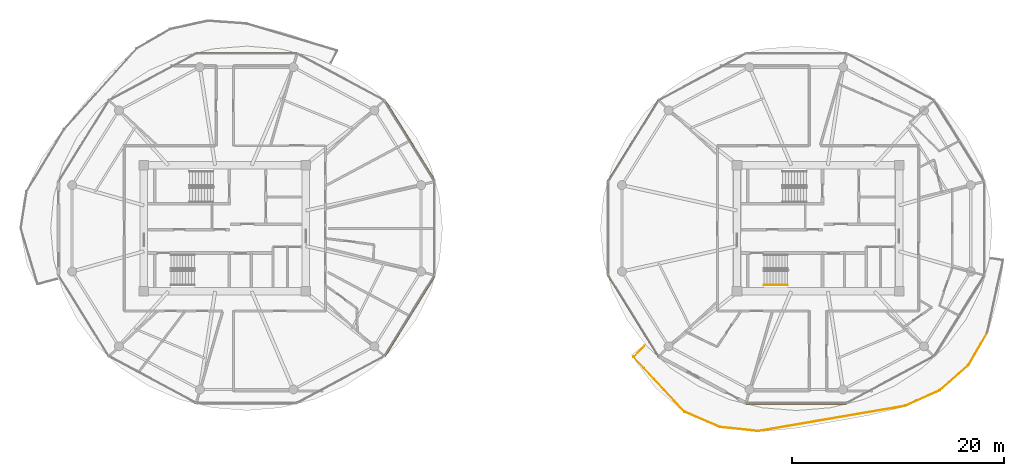
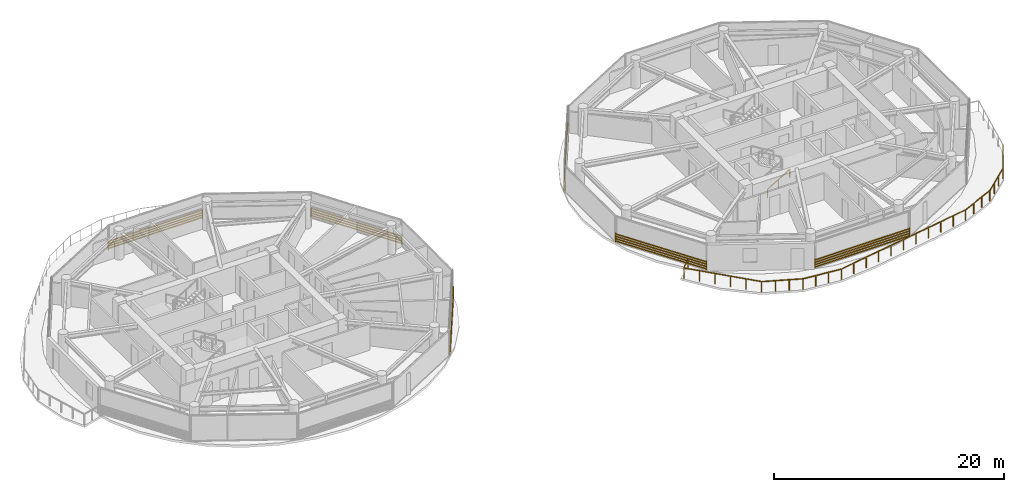
# One storey, part 21 of 22: 6 shading devices, 2 railings.
"""IFC4 building model written with IfcOpenShell, lengths in metres."""

from ifc_helpers import new_model, si_unit, direction, frame, origin, origin_2d, place, context, subcontext, project, spatial, rectangle, extrude, source, transform, mapped, material, type_object, type_shapes, element, save


model = new_model("IFC4")

# Units and contexts
model_context = context("Model", 3, precision=1e-05, world=origin(), true_north=direction((0.0, 1.0)))
body_context = subcontext(model_context, "Body", "Model", "MODEL_VIEW")
ifc_project = project(units=[si_unit("LENGTHUNIT", "METRE"), si_unit("AREAUNIT", "SQUARE_METRE"), si_unit("VOLUMEUNIT", "CUBIC_METRE"), si_unit("PLANEANGLEUNIT", "RADIAN"), si_unit("MASSUNIT", "GRAM", prefix="KILO")], contexts=[model_context])

# Site, building, storey
site_placement = place(None, origin())
site = spatial("IfcSite", under=ifc_project, at=site_placement, CompositionType="ELEMENT")
building_placement = place(site_placement, origin())
building = spatial("IfcBuilding", under=site, at=building_placement, Name="Norrkilde Senior Care Towers", CompositionType="ELEMENT")
storey_placement = place(building_placement, frame((0.0, 0.0, 87.10009765625)))
storey = spatial("IfcBuildingStorey", under=building, at=storey_placement, Name="L26", CompositionType="ELEMENT", Elevation=87.10009765625)

# Railings
ifc_material_1 = material(Name="Anodised Aluminium", Category="aluminium")
railing_type_1 = type_object("IfcRailingType", Name="Balcony Swirl Ribbon Guardrail 1150", PredefinedType="GUARDRAIL", material=ifc_material_1)
railing_1_placement = place(storey_placement, frame((43.97021484375, -9.85595703125, 0.0)))
element("IfcRailing", 1, at=railing_1_placement, inside=storey, type_object=railing_type_1, Name="L26 Perimeter Safety Guard 01", PredefinedType="GUARDRAIL", context=body_context, shape_type="SweptSolid", body=[
    extrude(rectangle(XDim=0.048095703125, YDim=0.048095703125, at=origin_2d()), frame((0.0, 0.0, 1.1259765625), z_axis=(-0.501543117196, -0.865132649709, 0.0), x_axis=(0.865132649709, -0.501543117196, 0.0)), (0.0, 0.0, 1.0), 3.50927734375),
    extrude(rectangle(XDim=0.048095703125, YDim=0.048095703125, at=origin_2d()), frame((-1.811279296875, -3.098388671875, 1.1259765625), z_axis=(-0.751286821109, -0.659975842307, 0.0), x_axis=(0.659975842307, -0.751286821109, 0.0)), (0.0, 0.0, 1.0), 3.498291015625),
    extrude(rectangle(XDim=0.048095703125, YDim=0.048095703125, at=origin_2d()), frame((-4.507568359375, -5.450927734375, 1.1259765625), z_axis=(-0.912333686394, -0.409447487073, 0.0), x_axis=(0.409447487073, -0.912333686394, 0.0)), (0.0, 0.0, 1.0), 3.51611328125),
    extrude(rectangle(XDim=0.048095703125, YDim=0.048095703125, at=origin_2d()), frame((-7.79296875, -6.9140625, 1.1259765625), z_axis=(-0.985595383314, -0.169120490745, 0.0), x_axis=(0.169120490745, -0.985595383314, 0.0)), (0.0, 0.0, 1.0), 13.974365234375),
    extrude(rectangle(XDim=0.048095703125, YDim=0.048095703125, at=origin_2d()), frame((-21.647216796875, -9.280029296875, 1.1259765625), z_axis=(-0.994456166464, 0.105151951869, 0.0), x_axis=(-0.105151951869, -0.994456166464, 0.0)), (0.0, 0.0, 1.0), 3.5634765625),
    extrude(rectangle(XDim=0.048095703125, YDim=0.048095703125, at=origin_2d()), frame((-25.26904296875, -8.885009765625, 1.1259765625), z_axis=(-0.91872017993, 0.394909142701, 0.0), x_axis=(-0.394909142701, -0.91872017993, 0.0)), (0.0, 0.0, 1.0), 3.549072265625),
    extrude(rectangle(XDim=0.048095703125, YDim=0.048095703125, at=origin_2d()), frame((-28.594970703125, -7.437255859375, 1.1259765625), z_axis=(-0.680878765512, 0.732396140538, 0.0), x_axis=(-0.732396140538, -0.680878765512, 0.0)), (0.0, 0.0, 1.0), 6.98876953125),
    extrude(rectangle(XDim=0.048095703125, YDim=0.048095703125, at=origin_2d()), frame((-33.352783203125, -2.259521484375, 1.1259765625), z_axis=(0.696362574465, 0.71769015939, 0.0), x_axis=(-0.71769015939, 0.696362574465, 0.0)), (0.0, 0.0, 1.0), 1.4013671875),
    extrude(rectangle(XDim=0.0419921875, YDim=0.0419921875, at=origin_2d()), origin(), (0.0, 0.0, 1.0), 1.099853515625),
    extrude(rectangle(XDim=0.0419921875, YDim=0.0419921875, at=origin_2d()), frame((-0.593505859375, -1.023681640625, 0.0)), (0.0, 0.0, 1.0), 1.099853515625),
    extrude(rectangle(XDim=0.0419921875, YDim=0.0419921875, at=origin_2d()), frame((-1.18701171875, -2.047607421875, 0.0)), (0.0, 0.0, 1.0), 1.099853515625),
    extrude(rectangle(XDim=0.0419921875, YDim=0.0419921875, at=origin_2d()), frame((-1.780517578125, -3.0712890625, 0.0)), (0.0, 0.0, 1.0), 1.099853515625),
    extrude(rectangle(XDim=0.0419921875, YDim=0.0419921875, at=origin_2d()), frame((-2.677001953125, -3.85888671875, 0.0)), (0.0, 0.0, 1.0), 1.099853515625),
    extrude(rectangle(XDim=0.0419921875, YDim=0.0419921875, at=origin_2d()), frame((-3.57373046875, -4.646484375, 0.0)), (0.0, 0.0, 1.0), 1.099853515625),
    extrude(rectangle(XDim=0.0419921875, YDim=0.0419921875, at=origin_2d()), frame((-4.47021484375, -5.43408203125, 0.0)), (0.0, 0.0, 1.0), 1.099853515625),
    extrude(rectangle(XDim=0.0419921875, YDim=0.0419921875, at=origin_2d()), frame((-5.564453125, -5.925048828125, 0.0)), (0.0, 0.0, 1.0), 1.099853515625),
    extrude(rectangle(XDim=0.0419921875, YDim=0.0419921875, at=origin_2d()), frame((-6.658447265625, -6.416259765625, 0.0)), (0.0, 0.0, 1.0), 1.099853515625),
    extrude(rectangle(XDim=0.0419921875, YDim=0.0419921875, at=origin_2d()), frame((-7.752685546875, -6.9072265625, 0.0)), (0.0, 0.0, 1.0), 1.099853515625),
    extrude(rectangle(XDim=0.0419921875, YDim=0.0419921875, at=origin_2d()), frame((-9.13818359375, -7.14501953125, 0.0)), (0.0, 0.0, 1.0), 1.099853515625),
    extrude(rectangle(XDim=0.0419921875, YDim=0.0419921875, at=origin_2d()), frame((-10.5234375, -7.382568359375, 0.0)), (0.0, 0.0, 1.0), 1.099853515625),
    extrude(rectangle(XDim=0.0419921875, YDim=0.0419921875, at=origin_2d()), frame((-11.90869140625, -7.620361328125, 0.0)), (0.0, 0.0, 1.0), 1.099853515625),
    extrude(rectangle(XDim=0.0419921875, YDim=0.0419921875, at=origin_2d()), frame((-13.294189453125, -7.858154296875, 0.0)), (0.0, 0.0, 1.0), 1.099853515625),
    extrude(rectangle(XDim=0.0419921875, YDim=0.0419921875, at=origin_2d()), frame((-14.6796875, -8.095703125, 0.0)), (0.0, 0.0, 1.0), 1.099853515625),
    extrude(rectangle(XDim=0.0419921875, YDim=0.0419921875, at=origin_2d()), frame((-16.06494140625, -8.33349609375, 0.0)), (0.0, 0.0, 1.0), 1.099853515625),
    extrude(rectangle(XDim=0.0419921875, YDim=0.0419921875, at=origin_2d()), frame((-17.4501953125, -8.5712890625, 0.0)), (0.0, 0.0, 1.0), 1.099853515625),
    extrude(rectangle(XDim=0.0419921875, YDim=0.0419921875, at=origin_2d()), frame((-18.835693359375, -8.80908203125, 0.0)), (0.0, 0.0, 1.0), 1.099853515625),
    extrude(rectangle(XDim=0.0419921875, YDim=0.0419921875, at=origin_2d()), frame((-20.22119140625, -9.046630859375, 0.0)), (0.0, 0.0, 1.0), 1.099853515625),
    extrude(rectangle(XDim=0.0419921875, YDim=0.0419921875, at=origin_2d()), frame((-21.6064453125, -9.284423828125, 0.0)), (0.0, 0.0, 1.0), 1.099853515625),
    extrude(rectangle(XDim=0.0419921875, YDim=0.0419921875, at=origin_2d()), frame((-22.814697265625, -9.15673828125, 0.0)), (0.0, 0.0, 1.0), 1.099853515625),
    extrude(rectangle(XDim=0.0419921875, YDim=0.0419921875, at=origin_2d()), frame((-24.023193359375, -9.02880859375, 0.0)), (0.0, 0.0, 1.0), 1.099853515625),
    extrude(rectangle(XDim=0.0419921875, YDim=0.0419921875, at=origin_2d()), frame((-25.2314453125, -8.901123046875, 0.0)), (0.0, 0.0, 1.0), 1.099853515625),
    extrude(rectangle(XDim=0.0419921875, YDim=0.0419921875, at=origin_2d()), frame((-26.34326171875, -8.423095703125, 0.0)), (0.0, 0.0, 1.0), 1.099853515625),
    extrude(rectangle(XDim=0.0419921875, YDim=0.0419921875, at=origin_2d()), frame((-27.455322265625, -7.9453125, 0.0)), (0.0, 0.0, 1.0), 1.099853515625),
    extrude(rectangle(XDim=0.0419921875, YDim=0.0419921875, at=origin_2d()), frame((-28.567138671875, -7.46728515625, 0.0)), (0.0, 0.0, 1.0), 1.099853515625),
    extrude(rectangle(XDim=0.0419921875, YDim=0.0419921875, at=origin_2d()), frame((-29.530029296875, -6.431640625, 0.0)), (0.0, 0.0, 1.0), 1.099853515625),
    extrude(rectangle(XDim=0.0419921875, YDim=0.0419921875, at=origin_2d()), frame((-30.492919921875, -5.39599609375, 0.0)), (0.0, 0.0, 1.0), 1.099853515625),
    extrude(rectangle(XDim=0.0419921875, YDim=0.0419921875, at=origin_2d()), frame((-31.45556640625, -4.360107421875, 0.0)), (0.0, 0.0, 1.0), 1.099853515625),
    extrude(rectangle(XDim=0.0419921875, YDim=0.0419921875, at=origin_2d()), frame((-32.41845703125, -3.324462890625, 0.0)), (0.0, 0.0, 1.0), 1.099853515625),
    extrude(rectangle(XDim=0.0419921875, YDim=0.0419921875, at=origin_2d()), frame((-33.38134765625, -2.288818359375, 0.0)), (0.0, 0.0, 1.0), 1.099853515625),
    extrude(rectangle(XDim=0.0419921875, YDim=0.0419921875, at=origin_2d()), frame((-32.376953125, -1.253662109375, 0.0)), (0.0, 0.0, 1.0), 1.099853515625),
])
ifc_material_2 = material(Name="Nordic Ash Timber", Category="wood")
railing_type_2 = type_object("IfcRailingType", Name="Wall and Stair Handrail 900", PredefinedType="HANDRAIL", material=ifc_material_2)
railing_2_placement = place(storey_placement, frame((22.89990234375, -5.35009765625, 0.16943359375)))
element("IfcRailing", 2, at=railing_2_placement, inside=storey, type_object=railing_type_2, Name="L26 ST-E2 stair handrail 1", PredefinedType="HANDRAIL", context=body_context, shape_type="SweptSolid", body=[
    extrude(rectangle(XDim=0.048095703125, YDim=0.048095703125, at=origin_2d()), frame((0.0, 0.0, 0.8759765625), z_axis=(0.855553338991, 0.0, 0.51771467445), x_axis=(0.0, 1.0, 0.0)), (0.0, 0.0, 1.0), 2.6181640625),
    extrude(rectangle(XDim=0.0419921875, YDim=0.0419921875, at=origin_2d()), origin(), (0.0, 0.0, 1.0), 0.849853515625),
    extrude(rectangle(XDim=0.0419921875, YDim=0.0419921875, at=origin_2d()), frame((1.1201171875, 0.0, 0.677734375)), (0.0, 0.0, 1.0), 0.849853515625),
    extrude(rectangle(XDim=0.0419921875, YDim=0.0419921875, at=origin_2d()), frame((2.239990234375, 0.0, 1.35546875)), (0.0, 0.0, 1.0), 0.849853515625),
])

# Shading devices
ifc_material_3 = material(Name="Architectural Terracotta", Category="masonry")
shading_device_type = type_object("IfcShadingDeviceType", Name="Horizontal Terracotta Baguette Rack", PredefinedType="USERDEFINED", material=ifc_material_3)
shared_shape_1 = source(origin(), body_context, "Body", "SweptSolid", [
    extrude(rectangle(XDim=0.070068359375, YDim=0.110107421875, at=origin_2d()), frame((0.0, 0.090087890625, 0.125), z_axis=(1.0, 0.0, 0.0), x_axis=(0.0, 1.0, 0.0)), (0.0, 0.0, 1.0), 9.01416015625),
    extrude(rectangle(XDim=0.070068359375, YDim=0.110107421875, at=origin_2d()), frame((0.0, 0.090087890625, 0.375), z_axis=(1.0, 0.0, 0.0), x_axis=(0.0, 1.0, 0.0)), (0.0, 0.0, 1.0), 9.01416015625),
    extrude(rectangle(XDim=0.070068359375, YDim=0.110107421875, at=origin_2d()), frame((0.0, 0.090087890625, 0.625), z_axis=(1.0, 0.0, 0.0), x_axis=(0.0, 1.0, 0.0)), (0.0, 0.0, 1.0), 9.01416015625),
    extrude(rectangle(XDim=0.070068359375, YDim=0.110107421875, at=origin_2d()), frame((0.0, 0.090087890625, 0.875), z_axis=(1.0, 0.0, 0.0), x_axis=(0.0, 1.0, 0.0)), (0.0, 0.0, 1.0), 9.01416015625),
    extrude(rectangle(XDim=0.050048828125, YDim=0.1552734375, at=origin_2d()), frame((0.02490234375, 0.047607421875, 0.0)), (0.0, 0.0, 1.0), 1.0),
    extrude(rectangle(XDim=0.050048828125, YDim=0.1552734375, at=origin_2d()), frame((8.9892578125, 0.047607421875, 0.0)), (0.0, 0.0, 1.0), 1.0),
])
for number, where, z_axis, x_axis, name in (
    (3, (-12.953369140625, 12.077392578125, 0.079833984375), (0.0, 0.0, 1.0), (0.527734142246, -0.849412274525, 0.0), "L26 Drum W Terracotta Baguette Screen 00"),
    (4, (-8.1962890625, -4.420654296875, 0.079833984375), (0.0, 0.0, 1.0), (-0.527734142246, -0.849412274525, 0.0), "L26 Drum W Terracotta Baguette Screen 10"),
    (5, (8.1962890625, 4.420654296875, 0.079833984375), (0.0, 0.0, 1.0), (0.527734142246, 0.849412274525, 0.0), "L26 Drum E Terracotta Baguette Screen 04"),
    (6, (12.953369140625, -12.077392578125, 0.079833984375), (0.0, 0.0, 1.0), (-0.527734142246, 0.849412274525, 0.0), "L26 Drum E Terracotta Baguette Screen 06"),
):
    element("IfcShadingDevice", number, at=place(storey_placement, frame(where, z_axis=z_axis, x_axis=x_axis)), inside=storey, type_object=shading_device_type, Name=name, ObjectType="BAGUETTE", PredefinedType="USERDEFINED", context=body_context, shape_type="MappedRepresentation", body=[
        mapped(shared_shape_1, transform((0.0, 0.0, 0.0), x_axis=(1.0, 0.0, 0.0), y_axis=(0.0, 1.0, 0.0), z_axis=(0.0, 0.0, 1.0), scale=1.0)),
    ])
shared_shape_2 = source(origin(), body_context, "Body", "SweptSolid", [
    extrude(rectangle(XDim=0.070068359375, YDim=0.110107421875, at=origin_2d()), frame((0.0, 0.090087890625, 0.125), z_axis=(1.0, 0.0, 0.0), x_axis=(0.0, 1.0, 0.0)), (0.0, 0.0, 1.0), 9.51416015625),
    extrude(rectangle(XDim=0.070068359375, YDim=0.110107421875, at=origin_2d()), frame((0.0, 0.090087890625, 0.375), z_axis=(1.0, 0.0, 0.0), x_axis=(0.0, 1.0, 0.0)), (0.0, 0.0, 1.0), 9.51416015625),
    extrude(rectangle(XDim=0.070068359375, YDim=0.110107421875, at=origin_2d()), frame((0.0, 0.090087890625, 0.625), z_axis=(1.0, 0.0, 0.0), x_axis=(0.0, 1.0, 0.0)), (0.0, 0.0, 1.0), 9.51416015625),
    extrude(rectangle(XDim=0.070068359375, YDim=0.110107421875, at=origin_2d()), frame((0.0, 0.090087890625, 0.875), z_axis=(1.0, 0.0, 0.0), x_axis=(0.0, 1.0, 0.0)), (0.0, 0.0, 1.0), 9.51416015625),
    extrude(rectangle(XDim=0.050048828125, YDim=0.1552734375, at=origin_2d()), frame((0.02490234375, 0.047607421875, 0.0)), (0.0, 0.0, 1.0), 1.0),
    extrude(rectangle(XDim=0.050048828125, YDim=0.1552734375, at=origin_2d()), frame((9.4892578125, 0.047607421875, 0.0)), (0.0, 0.0, 1.0), 1.0),
])
type_shapes(shading_device_type, [shared_shape_1, shared_shape_2])
for number, where, z_axis, x_axis, name in (
    (7, (-30.70703125, 16.498046875, 0.079833984375), (0.0, 0.0, 1.0), (1.0, 0.0, 0.0), "L26 Drum W Terracotta Baguette Screen 02"),
    (8, (30.70703125, -16.498046875, 0.079833984375), (0.0, 0.0, 1.0), (-1.0, 0.0, 0.0), "L26 Drum E Terracotta Baguette Screen 08"),
):
    element("IfcShadingDevice", number, at=place(storey_placement, frame(where, z_axis=z_axis, x_axis=x_axis)), inside=storey, type_object=shading_device_type, Name=name, ObjectType="BAGUETTE", PredefinedType="USERDEFINED", context=body_context, shape_type="MappedRepresentation", body=[
        mapped(shared_shape_2, transform((0.0, 0.0, 0.0), x_axis=(1.0, 0.0, 0.0), y_axis=(0.0, 1.0, 0.0), z_axis=(0.0, 0.0, 1.0), scale=1.0)),
    ])

save(model, "model.ifc")
